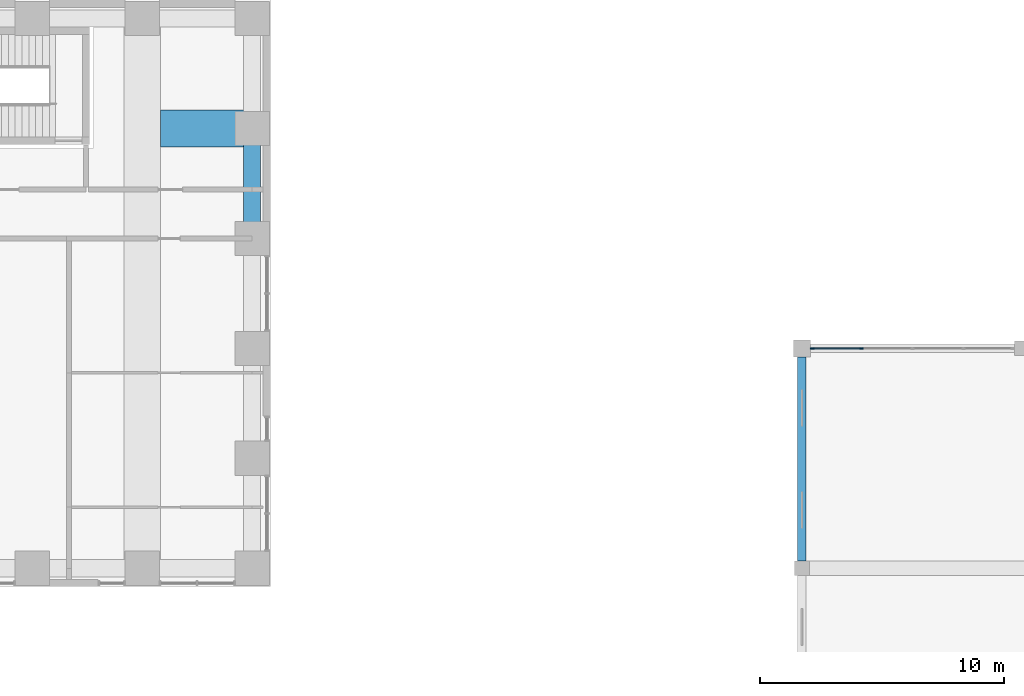
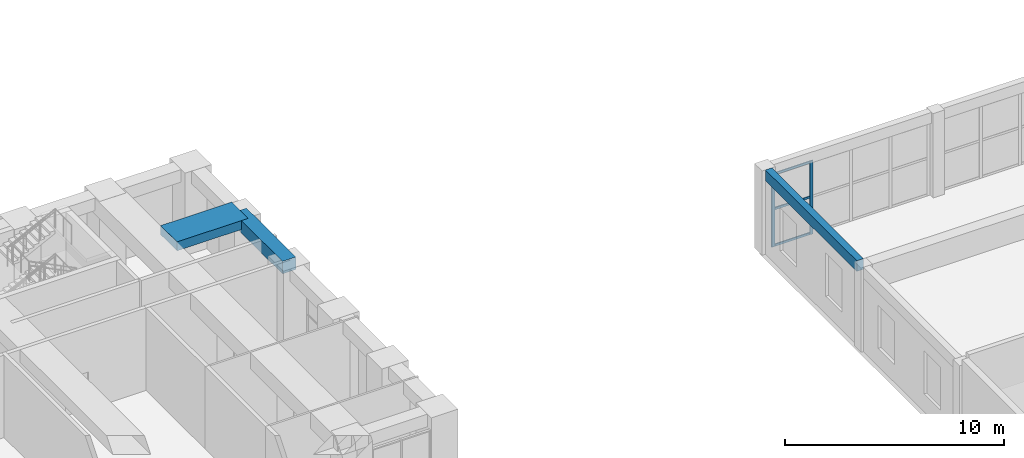
# One storey, part 9 of 34: 5 members, 3 beams, 1 element without a shape of its own.
"""IFC4 building model written with IfcOpenShell, lengths in metres."""

from ifc_helpers import new_model, si_unit, direction, frame, origin, origin_2d, place, context, subcontext, project, spatial, rectangle, extrude, material, material_profile, profile_set, type_object, element, aggregate, save


model = new_model("IFC4")

# Units and contexts
model_context = context("Model", 3, precision=1e-05, world=origin(), true_north=direction((0.0, 1.0)))
body_context = subcontext(model_context, "Body", "Model", "MODEL_VIEW")
ifc_project = project(units=[si_unit("LENGTHUNIT", "METRE"), si_unit("AREAUNIT", "SQUARE_METRE"), si_unit("VOLUMEUNIT", "CUBIC_METRE"), si_unit("PLANEANGLEUNIT", "RADIAN"), si_unit("MASSUNIT", "GRAM", prefix="KILO")], contexts=[model_context])

# Site, building, storey
site_placement = place(None, origin())
site = spatial("IfcSite", under=ifc_project, at=site_placement, CompositionType="ELEMENT")
building_placement = place(site_placement, origin())
building = spatial("IfcBuilding", under=site, at=building_placement, Name="Firuza Court", CompositionType="ELEMENT")
storey_placement = place(building_placement, frame((0.0, 0.0, 14.0)))
storey = spatial("IfcBuildingStorey", under=building, at=storey_placement, Name="L02", CompositionType="ELEMENT", Elevation=14.0)

# Beam
ifc_material_1 = material(Name="Concrete C40/50", Category="concrete")
ifc_material_profile_1 = material_profile(ifc_material_1, rectangle(XDim=1.5, YDim=0.5, at=origin_2d()), Name="RC 1500x500")
ifc_profile_set_1 = profile_set([ifc_material_profile_1], Name="Concrete C40/50")
beam_type_1 = type_object("IfcBeamType", Name="Band beam RC 1500x500 C40/50", PredefinedType="BEAM", material=ifc_profile_set_1)
beam_1_placement = place(storey_placement, frame((67.5, 54.0, 4.35009765625), z_axis=(-1.0, 0.0, 0.0), x_axis=(0.0, -1.0, 0.0)))
element("IfcBeam", 1, at=beam_1_placement, inside=storey, type_object=beam_type_1, Name="Band beam FB4 level L03", PredefinedType="BEAM", context=body_context, shape_type="SweptSolid", body=[
    extrude(rectangle(XDim=1.5, YDim=0.5, at=origin_2d()), origin(), (0.0, 0.0, 1.0), 3.75),
])

# Curtain wall, members
ifc_material_2 = material(Name="Aluminium", Category="aluminium")
curtain_wall_type = type_object("IfcCurtainWallType", Name="CW6 FOYER CURTAIN WALL", PredefinedType="NOTDEFINED", material=ifc_material_2)
curtain_wall_placement = place(storey_placement, origin())
curtain_wall = element("IfcCurtainWall", 2, at=curtain_wall_placement, inside=storey, type_object=curtain_wall_type, Name="CW6 foyer curtain wall 7", PredefinedType="NOTDEFINED")
ifc_material_3 = material(Name="Aluminium", Category="aluminium")
ifc_material_profile_2 = material_profile(ifc_material_3, rectangle(XDim=0.06005859375, YDim=0.159912109375, at=origin_2d()), Name="MULLION 60X160")
ifc_profile_set_2 = profile_set([ifc_material_profile_2], Name="Aluminium")
member_type_1 = type_object("IfcMemberType", Name="CW6 MULLION 60X160", PredefinedType="MULLION", material=ifc_profile_set_2)
member_1_placement = place(storey_placement, frame((90.429931640625, 45.0, 0.0), z_axis=(0.0, 0.0, 1.0), x_axis=(0.0, 1.0, 0.0)))
member_1 = element("IfcMember", 3, at=member_1_placement, type_object=member_type_1, Name="CW6 mullion 1", PredefinedType="MULLION", context=body_context, shape_type="SweptSolid", body=[
    extrude(rectangle(XDim=0.06005859375, YDim=0.159912109375, at=origin_2d()), origin(), (0.0, 0.0, 1.0), 4.10009765625),
])
member_2_placement = place(storey_placement, frame((92.4375, 45.0, 0.0), z_axis=(0.0, 0.0, 1.0), x_axis=(0.0, 1.0, 0.0)))
member_2 = element("IfcMember", 4, at=member_2_placement, type_object=member_type_1, Name="CW6 mullion 2", PredefinedType="MULLION", context=body_context, shape_type="SweptSolid", body=[
    extrude(rectangle(XDim=0.06005859375, YDim=0.159912109375, at=origin_2d()), origin(), (0.0, 0.0, 1.0), 4.10009765625),
])
ifc_material_4 = material(Name="Aluminium", Category="aluminium")
ifc_material_profile_3 = material_profile(ifc_material_4, rectangle(XDim=0.06005859375, YDim=0.1201171875, at=origin_2d()), Name="TRANSOM 60X120")
ifc_profile_set_3 = profile_set([ifc_material_profile_3], Name="Aluminium")
member_type_2 = type_object("IfcMemberType", Name="CW6 TRANSOM 60X120", PredefinedType="USERDEFINED", material=ifc_profile_set_3)
member_3_placement = place(storey_placement, frame((90.510009765625, 45.0, 0.06005859375), z_axis=(1.0, 0.0, 0.0), x_axis=(0.0, 1.0, 0.0)))
member_3 = element("IfcMember", 5, at=member_3_placement, type_object=member_type_2, Name="CW6 transom 1.1", ObjectType="TRANSOM", PredefinedType="USERDEFINED", context=body_context, shape_type="SweptSolid", body=[
    extrude(rectangle(XDim=0.06005859375, YDim=0.1201171875, at=origin_2d()), origin(), (0.0, 0.0, 1.0), 1.847412109375),
])
member_4_placement = place(storey_placement, frame((90.510009765625, 45.0, 2.10009765625), z_axis=(1.0, 0.0, 0.0), x_axis=(0.0, 1.0, 0.0)))
member_4 = element("IfcMember", 6, at=member_4_placement, type_object=member_type_2, Name="CW6 transom 1.2", ObjectType="TRANSOM", PredefinedType="USERDEFINED", context=body_context, shape_type="SweptSolid", body=[
    extrude(rectangle(XDim=0.06005859375, YDim=0.1201171875, at=origin_2d()), origin(), (0.0, 0.0, 1.0), 1.847412109375),
])
member_5_placement = place(storey_placement, frame((90.510009765625, 45.0, 4.0400390625), z_axis=(1.0, 0.0, 0.0), x_axis=(0.0, 1.0, 0.0)))
member_5 = element("IfcMember", 7, at=member_5_placement, type_object=member_type_2, Name="CW6 transom 1.3", ObjectType="TRANSOM", PredefinedType="USERDEFINED", context=body_context, shape_type="SweptSolid", body=[
    extrude(rectangle(XDim=0.06005859375, YDim=0.1201171875, at=origin_2d()), origin(), (0.0, 0.0, 1.0), 1.847412109375),
])
aggregate(curtain_wall, [member_1, member_2, member_3, member_4, member_5])

# Beams
ifc_material_5 = material(Name="Concrete C40/50", Category="concrete")
ifc_material_profile_4 = material_profile(ifc_material_5, rectangle(XDim=0.35009765625, YDim=0.60009765625, at=origin_2d()), Name="RC 350X600")
ifc_profile_set_4 = profile_set([ifc_material_profile_4], Name="Concrete C40/50")
beam_type_2 = type_object("IfcBeamType", Name="RC RING BEAM 350X600", PredefinedType="BEAM", material=ifc_profile_set_4)
beam_2_placement = place(storey_placement, frame((90.0, 36.300048828125, 4.39990234375), z_axis=(0.0, 1.0, 0.0), x_axis=(-1.0, 0.0, 0.0)))
element("IfcBeam", 8, at=beam_2_placement, inside=storey, type_object=beam_type_2, Name="Edge beam W4.1 L02", PredefinedType="BEAM", context=body_context, shape_type="SweptSolid", body=[
    extrude(rectangle(XDim=0.35009765625, YDim=0.60009765625, at=origin_2d()), origin(), (0.0, 0.0, 1.0), 8.349853515625),
])
ifc_material_6 = material(Name="Concrete C40/50", Category="concrete")
ifc_material_profile_5 = material_profile(ifc_material_6, rectangle(XDim=0.699951171875, YDim=0.699951171875, at=origin_2d()), Name="RC 700x700")
ifc_profile_set_5 = profile_set([ifc_material_profile_5], Name="Concrete C40/50")
beam_type_3 = type_object("IfcBeamType", Name="Spandrel beam RC 700x700 C40/50", PredefinedType="BEAM", material=ifc_profile_set_5)
beam_3_placement = place(storey_placement, frame((67.5, 49.5, 4.25), z_axis=(0.0, 1.0, 0.0), x_axis=(-1.0, 0.0, 0.0)))
element("IfcBeam", 9, at=beam_3_placement, inside=storey, type_object=beam_type_3, Name="Spandrel beam SP8 level L03", PredefinedType="BEAM", context=body_context, shape_type="SweptSolid", body=[
    extrude(rectangle(XDim=0.699951171875, YDim=0.699951171875, at=origin_2d()), origin(), (0.0, 0.0, 1.0), 4.5),
])

save(model, "model.ifc")
